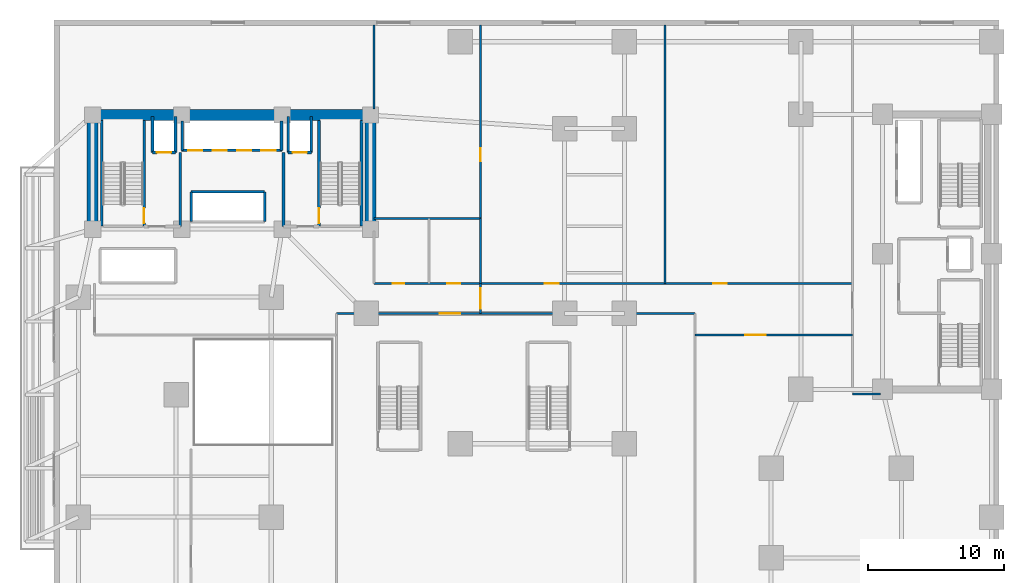
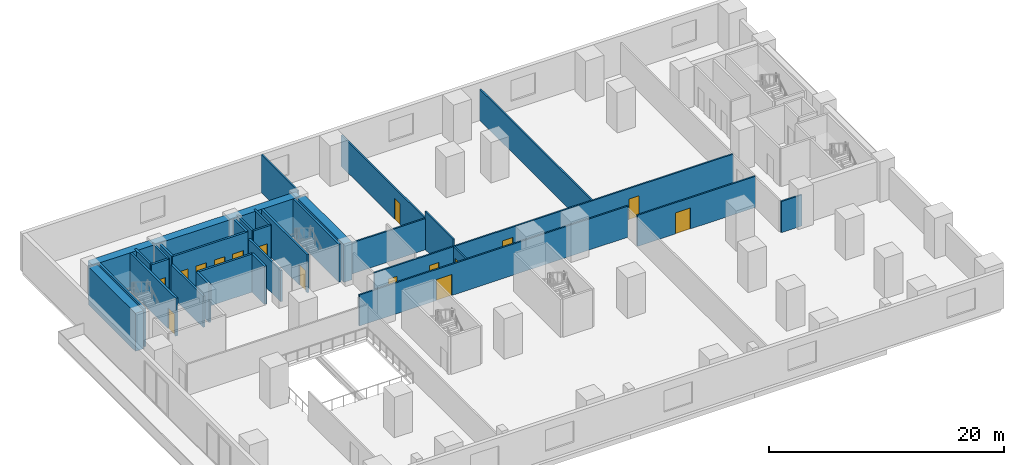
# One storey, part 7 of 13: 31 walls, 16 doors, 16 openings.
"""IFC4 building model written with IfcOpenShell, lengths in metres."""

from ifc_helpers import new_model, si_unit, direction, frame, frame_2d, origin, place, context, subcontext, project, spatial, rectangle, extrude, material, layer, layer_set, type_object, element, fill, save


model = new_model("IFC4")

# Units and contexts
model_context = context("Model", 3, precision=1e-05, world=origin(), true_north=direction((0.0, 1.0)))
body_context = subcontext(model_context, "Body", "Model", "MODEL_VIEW")
ifc_project = project(units=[si_unit("LENGTHUNIT", "METRE"), si_unit("AREAUNIT", "SQUARE_METRE"), si_unit("VOLUMEUNIT", "CUBIC_METRE"), si_unit("PLANEANGLEUNIT", "RADIAN"), si_unit("MASSUNIT", "GRAM", prefix="KILO")], contexts=[model_context])

# Site, building, storey
site_placement = place(None, origin())
site = spatial("IfcSite", under=ifc_project, at=site_placement, CompositionType="ELEMENT")
building_placement = place(site_placement, origin())
building = spatial("IfcBuilding", under=site, at=building_placement, Name="Kuzgunbayir Cultural Tower", CompositionType="ELEMENT")
storey_placement = place(building_placement, frame((0.0, 0.0, 4.60009765625)))
storey = spatial("IfcBuildingStorey", under=building, at=storey_placement, Name="L01", CompositionType="ELEMENT", Elevation=4.60009765625)

# Walls
ifc_material_1 = material(Name="Concrete C60/75", Category="concrete")
ifc_layer_1 = layer(ifc_material_1, 0.800048828125)
ifc_layer_set_1 = layer_set([ifc_layer_1], Name="Concrete C60/75")
wall_type_1 = type_object("IfcWallType", Name="WAL-CORE-800", PredefinedType="SHEAR", material=ifc_layer_set_1)
wall_1_placement = place(storey_placement, frame((6.449951171875, 42.199951171875, 0.0), z_axis=(0.0, 0.0, 1.0), x_axis=(1.0, 0.0, 0.0)))
element("IfcWall", 1, at=wall_1_placement, inside=storey, type_object=wall_type_1, Name="L01 T1 Core North Shear Wall", PredefinedType="SHEAR", context=body_context, shape_type="SweptSolid", body=[
    extrude(rectangle(XDim=20.449951171875, YDim=0.800048828125, at=frame_2d((10.22509765625, 0.0))), origin(), (0.0, 0.0, 1.0), 3.949951171875),
])
for number, where, z_axis, x_axis, name in (
    (2, (6.449951171875, 33.800048828125, 0.0), (0.0, 0.0, 1.0), (0.0, 1.0, 0.0), "L01 T1 Core West Shear Wall"),
    (3, (26.89990234375, 33.800048828125, 0.0), (0.0, 0.0, 1.0), (0.0, 1.0, 0.0), "L01 T1 Core East Shear Wall"),
):
    element("IfcWall", number, at=place(storey_placement, frame(where, z_axis=z_axis, x_axis=x_axis)), inside=storey, type_object=wall_type_1, Name=name, PredefinedType="SHEAR", context=body_context, shape_type="SweptSolid", body=[
        extrude(rectangle(XDim=7.949951171875, YDim=0.800048828125, at=frame_2d((3.97509765625, 0.0))), origin(), (0.0, 0.0, 1.0), 3.949951171875),
    ])

# Wall, opening, door
ifc_material_2 = material(Name="Acoustic Double-Stud Drywall", Category="gypsum")
ifc_layer_2 = layer(ifc_material_2, 0.14990234375)
ifc_layer_set_2 = layer_set([ifc_layer_2], Name="Acoustic Double-Stud Drywall")
wall_type_2 = type_object("IfcWallType", Name="WAL-PART-ACOUSTIC-150", PredefinedType="PARTITIONING", material=ifc_layer_set_2)
wall_2_placement = place(storey_placement, frame((24.39990234375, 27.60009765625, 0.0), z_axis=(0.0, 0.0, 1.0), x_axis=(1.0, 0.0, 0.0)))
wall_2 = element("IfcWall", 4, at=wall_2_placement, inside=storey, type_object=wall_type_2, Name="L01 Central Concourse South Wall", PredefinedType="PARTITIONING", context=body_context, shape_type="SweptSolid", body=[
    extrude(rectangle(XDim=26.400146484375, YDim=0.14990234375, at=frame_2d((13.2001953125, 0.0))), origin(), (0.0, 0.0, 1.0), 3.22998046875),
])
opening_1_placement = place(wall_2_placement, frame((7.60009765625, 0.0, 0.0)))
opening_1 = element("IfcOpeningElement", 5, at=opening_1_placement, cuts=wall_2, Name="Opening DI-150", PredefinedType="OPENING", context=body_context, shape_type="SweptSolid", body=[
    extrude(rectangle(XDim=1.5, YDim=2.179931640625, at=frame_2d((0.75, 1.08984375))), frame((0.0, 0.0849609375, 0.0), z_axis=(0.0, -1.0, 0.0), x_axis=(1.0, 0.0, 0.0)), (0.0, 0.0, 1.0), 0.169921875),
])
ifc_material_3 = material(Name="Veneered Oak Double Leaf", Category="wood")
door_type_1 = type_object("IfcDoorType", Name="DR-INT-150", OperationType="DOUBLE_DOOR_SINGLE_SWING", PredefinedType="DOOR", material=ifc_material_3)
door_1_placement = place(opening_1_placement, origin())
door_1 = element("IfcDoor", 6, at=door_1_placement, inside=storey, type_object=door_type_1, Name="L01 Central Hall Double Door", OperationType="DOUBLE_DOOR_SINGLE_SWING", OverallHeight=2.179931640625, OverallWidth=1.5, PredefinedType="DOOR", context=body_context, shape_type="SweptSolid", body=[
    extrude(rectangle(XDim=1.5, YDim=2.179931640625, at=frame_2d((0.75, 1.08984375))), frame((0.0, 0.02490234375, 0.0), z_axis=(0.0, -1.0, 0.0), x_axis=(1.0, 0.0, 0.0)), (0.0, 0.0, 1.0), 0.050048828125),
])
fill(opening_1, door_1)

wall_3_placement = place(storey_placement, frame((50.800048828125, 26.0, 0.0), z_axis=(0.0, 0.0, 1.0), x_axis=(1.0, 0.0, 0.0)))
wall_3 = element("IfcWall", 7, at=wall_3_placement, inside=storey, type_object=wall_type_2, Name="L01 East Concourse South Wall", PredefinedType="PARTITIONING", context=body_context, shape_type="SweptSolid", body=[
    extrude(rectangle(XDim=11.599853515625, YDim=0.14990234375, at=frame_2d((5.7998046875, 0.0))), origin(), (0.0, 0.0, 1.0), 3.22998046875),
])
opening_2_placement = place(wall_3_placement, frame((3.699951171875, 0.0, 0.0)))
opening_2 = element("IfcOpeningElement", 8, at=opening_2_placement, cuts=wall_3, Name="Opening DI-150", PredefinedType="OPENING", context=body_context, shape_type="SweptSolid", body=[
    extrude(rectangle(XDim=1.5, YDim=2.179931640625, at=frame_2d((0.75, 1.08984375))), frame((0.0, 0.0849609375, 0.0), z_axis=(0.0, -1.0, 0.0), x_axis=(1.0, 0.0, 0.0)), (0.0, 0.0, 1.0), 0.169921875),
])
door_2_placement = place(opening_2_placement, origin())
door_2 = element("IfcDoor", 9, at=door_2_placement, inside=storey, type_object=door_type_1, Name="L01 East Hall Double Door", OperationType="DOUBLE_DOOR_SINGLE_SWING", OverallHeight=2.179931640625, OverallWidth=1.5, PredefinedType="DOOR", context=body_context, shape_type="SweptSolid", body=[
    extrude(rectangle(XDim=1.5, YDim=2.179931640625, at=frame_2d((0.75, 1.08984375))), frame((0.0, 0.02490234375, 0.0), z_axis=(0.0, -1.0, 0.0), x_axis=(1.0, 0.0, 0.0)), (0.0, 0.0, 1.0), 0.050048828125),
])
fill(opening_2, door_2)

wall_4_placement = place(storey_placement, frame((35.0, 27.60009765625, 0.0), z_axis=(0.0, 0.0, 1.0), x_axis=(0.0, 1.0, 0.0)))
wall_4 = element("IfcWall", 10, at=wall_4_placement, inside=storey, type_object=wall_type_2, Name="L01 Grand Concourse Mid Threshold Wall", PredefinedType="PARTITIONING", context=body_context, shape_type="SweptSolid", body=[
    extrude(rectangle(XDim=2.199951171875, YDim=0.14990234375, at=frame_2d((1.10009765625, 0.0))), origin(), (0.0, 0.0, 1.0), 3.22998046875),
])
opening_3_placement = place(wall_4_placement, frame((0.35009765625, 0.0, 0.0)))
opening_3 = element("IfcOpeningElement", 11, at=opening_3_placement, cuts=wall_4, Name="Opening DI-150", PredefinedType="OPENING", context=body_context, shape_type="SweptSolid", body=[
    extrude(rectangle(XDim=1.5, YDim=2.179931640625, at=frame_2d((0.75, 1.08984375))), frame((0.0, 0.0849609375, 0.0), z_axis=(0.0, -1.0, 0.0), x_axis=(1.0, 0.0, 0.0)), (0.0, 0.0, 1.0), 0.169921875),
])
door_3_placement = place(opening_3_placement, origin())
door_3 = element("IfcDoor", 12, at=door_3_placement, inside=storey, type_object=door_type_1, Name="L01 Grand Concourse Mid Threshold Door", OperationType="DOUBLE_DOOR_SINGLE_SWING", OverallHeight=2.179931640625, OverallWidth=1.5, PredefinedType="DOOR", context=body_context, shape_type="SweptSolid", body=[
    extrude(rectangle(XDim=1.5, YDim=2.179931640625, at=frame_2d((0.75, 1.08984375))), frame((0.0, 0.02490234375, 0.0), z_axis=(0.0, -1.0, 0.0), x_axis=(1.0, 0.0, 0.0)), (0.0, 0.0, 1.0), 0.050048828125),
])
fill(opening_3, door_3)

# Wall, openings, doors
wall_5_placement = place(storey_placement, frame((27.14990234375, 29.800048828125, 0.0), z_axis=(0.0, 0.0, 1.0), x_axis=(1.0, 0.0, 0.0)))
wall_5 = element("IfcWall", 13, at=wall_5_placement, inside=storey, type_object=wall_type_2, Name="L01 Grand Concourse North Wall", PredefinedType="PARTITIONING", context=body_context, shape_type="SweptSolid", body=[
    extrude(rectangle(XDim=35.25, YDim=0.14990234375, at=frame_2d((17.625, 0.0))), origin(), (0.0, 0.0, 1.0), 3.22998046875),
])
opening_4_placement = place(wall_5_placement, frame((25.0, 0.0, 0.0)))
opening_4 = element("IfcOpeningElement", 14, at=opening_4_placement, cuts=wall_5, Name="Opening DI-100", PredefinedType="OPENING", context=body_context, shape_type="SweptSolid", body=[
    extrude(rectangle(XDim=1.0, YDim=2.14990234375, at=frame_2d((0.5, 1.074951171875))), frame((0.0, 0.0849609375, 0.0), z_axis=(0.0, -1.0, 0.0), x_axis=(1.0, 0.0, 0.0)), (0.0, 0.0, 1.0), 0.169921875),
])
opening_5_placement = place(wall_5_placement, frame((1.39990234375, 0.0, 0.0)))
opening_5 = element("IfcOpeningElement", 15, at=opening_5_placement, cuts=wall_5, Name="Opening DW-85", PredefinedType="OPENING", context=body_context, shape_type="SweptSolid", body=[
    extrude(rectangle(XDim=0.85009765625, YDim=2.10009765625, at=frame_2d((0.425048828125, 1.050048828125))), frame((0.0, 0.0849609375, 0.0), z_axis=(0.0, -1.0, 0.0), x_axis=(1.0, 0.0, 0.0)), (0.0, 0.0, 1.0), 0.169921875),
])
opening_6_placement = place(wall_5_placement, frame((5.39990234375, 0.0, 0.0)))
opening_6 = element("IfcOpeningElement", 16, at=opening_6_placement, cuts=wall_5, Name="Opening DW-95", PredefinedType="OPENING", context=body_context, shape_type="SweptSolid", body=[
    extrude(rectangle(XDim=0.949951171875, YDim=2.10009765625, at=frame_2d((0.47509765625, 1.050048828125))), frame((0.0, 0.0849609375, 0.0), z_axis=(0.0, -1.0, 0.0), x_axis=(1.0, 0.0, 0.0)), (0.0, 0.0, 1.0), 0.169921875),
])
opening_7_placement = place(wall_5_placement, frame((12.60009765625, 0.0, 0.0)))
opening_7 = element("IfcOpeningElement", 17, at=opening_7_placement, cuts=wall_5, Name="Opening DI-100", PredefinedType="OPENING", context=body_context, shape_type="SweptSolid", body=[
    extrude(rectangle(XDim=1.0, YDim=2.14990234375, at=frame_2d((0.5, 1.074951171875))), frame((0.0, 0.0849609375, 0.0), z_axis=(0.0, -1.0, 0.0), x_axis=(1.0, 0.0, 0.0)), (0.0, 0.0, 1.0), 0.169921875),
])
ifc_material_4 = material(Name="Veneered Oak Single Leaf", Category="wood")
door_type_2 = type_object("IfcDoorType", Name="DR-INT-100", OperationType="NOTDEFINED", PredefinedType="DOOR", material=ifc_material_4)
door_4_placement = place(opening_4_placement, origin())
door_4 = element("IfcDoor", 18, at=door_4_placement, inside=storey, type_object=door_type_2, Name="L01 North Design Studio Door", OperationType="SINGLE_SWING_LEFT", OverallHeight=2.14990234375, OverallWidth=1.0, PredefinedType="DOOR", context=body_context, shape_type="SweptSolid", body=[
    extrude(rectangle(XDim=1.0, YDim=2.14990234375, at=frame_2d((0.5, 1.074951171875))), frame((0.0, 0.02490234375, 0.0), z_axis=(0.0, -1.0, 0.0), x_axis=(1.0, 0.0, 0.0)), (0.0, 0.0, 1.0), 0.050048828125),
])
fill(opening_4, door_4)
door_5_placement = place(opening_7_placement, origin())
door_5 = element("IfcDoor", 19, at=door_5_placement, inside=storey, type_object=door_type_2, Name="L01 North Hall Door", OperationType="SINGLE_SWING_LEFT", OverallHeight=2.14990234375, OverallWidth=1.0, PredefinedType="DOOR", context=body_context, shape_type="SweptSolid", body=[
    extrude(rectangle(XDim=1.0, YDim=2.14990234375, at=frame_2d((0.5, 1.074951171875))), frame((0.0, 0.02490234375, 0.0), z_axis=(0.0, -1.0, 0.0), x_axis=(1.0, 0.0, 0.0)), (0.0, 0.0, 1.0), 0.050048828125),
])
fill(opening_7, door_5)
ifc_material_5 = material(Name="Laminate Moisture-Resistant Leaf", Category="wood")
door_type_3 = type_object("IfcDoorType", Name="DR-WET-85", OperationType="NOTDEFINED", PredefinedType="DOOR", material=ifc_material_5)
door_6_placement = place(opening_5_placement, origin())
door_6 = element("IfcDoor", 20, at=door_6_placement, inside=storey, type_object=door_type_3, Name="L01 Public WC Door", OperationType="SINGLE_SWING_LEFT", OverallHeight=2.10009765625, OverallWidth=0.85009765625, PredefinedType="DOOR", context=body_context, shape_type="SweptSolid", body=[
    extrude(rectangle(XDim=0.85009765625, YDim=2.10009765625, at=frame_2d((0.425048828125, 1.050048828125))), frame((0.0, 0.02490234375, 0.0), z_axis=(0.0, -1.0, 0.0), x_axis=(1.0, 0.0, 0.0)), (0.0, 0.0, 1.0), 0.050048828125),
])
fill(opening_5, door_6)
door_type_4 = type_object("IfcDoorType", Name="DR-WET-95", OperationType="NOTDEFINED", PredefinedType="DOOR", material=ifc_material_5)
door_7_placement = place(opening_6_placement, origin())
door_7 = element("IfcDoor", 21, at=door_7_placement, inside=storey, type_object=door_type_4, Name="L01 Accessible WC Door", OperationType="SINGLE_SWING_RIGHT", OverallHeight=2.10009765625, OverallWidth=0.949951171875, PredefinedType="DOOR", context=body_context, shape_type="SweptSolid", body=[
    extrude(rectangle(XDim=0.949951171875, YDim=2.10009765625, at=frame_2d((0.47509765625, 1.050048828125))), frame((0.0, 0.02490234375, 0.0), z_axis=(0.0, -1.0, 0.0), x_axis=(1.0, 0.0, 0.0)), (0.0, 0.0, 1.0), 0.050048828125),
])
fill(opening_6, door_7)

# Wall, opening, door
wall_6_placement = place(storey_placement, frame((35.0, 34.60009765625, 0.0), z_axis=(0.0, 0.0, 1.0), x_axis=(0.0, 1.0, 0.0)))
wall_6 = element("IfcWall", 22, at=wall_6_placement, inside=storey, type_object=wall_type_2, Name="L01 Archive West Wall", PredefinedType="PARTITIONING", context=body_context, shape_type="SweptSolid", body=[
    extrude(rectangle(XDim=14.25, YDim=0.14990234375, at=frame_2d((7.125, 0.0))), origin(), (0.0, 0.0, 1.0), 3.22998046875),
])
opening_8_placement = place(wall_6_placement, frame((4.199951171875, 0.0, 0.0)))
opening_8 = element("IfcOpeningElement", 23, at=opening_8_placement, cuts=wall_6, Name="Opening DI-90", PredefinedType="OPENING", context=body_context, shape_type="SweptSolid", body=[
    extrude(rectangle(XDim=0.949951171875, YDim=2.14990234375, at=frame_2d((0.47509765625, 1.074951171875))), frame((0.0, 0.0849609375, 0.0), z_axis=(0.0, -1.0, 0.0), x_axis=(1.0, 0.0, 0.0)), (0.0, 0.0, 1.0), 0.169921875),
])
door_type_5 = type_object("IfcDoorType", Name="DR-INT-90", OperationType="NOTDEFINED", PredefinedType="DOOR", material=ifc_material_4)
door_8_placement = place(opening_8_placement, origin())
door_8 = element("IfcDoor", 24, at=door_8_placement, inside=storey, type_object=door_type_5, Name="L01 Collection Study Room Door", OperationType="SINGLE_SWING_RIGHT", OverallHeight=2.14990234375, OverallWidth=0.949951171875, PredefinedType="DOOR", context=body_context, shape_type="SweptSolid", body=[
    extrude(rectangle(XDim=0.949951171875, YDim=2.14990234375, at=frame_2d((0.47509765625, 1.074951171875))), frame((0.0, 0.02490234375, 0.0), z_axis=(0.0, -1.0, 0.0), x_axis=(1.0, 0.0, 0.0)), (0.0, 0.0, 1.0), 0.050048828125),
])
fill(opening_8, door_8)

# Walls
wall_7_placement = place(storey_placement, frame((48.60009765625, 29.800048828125, 0.0), z_axis=(0.0, 0.0, 1.0), x_axis=(0.0, 1.0, 0.0)))
element("IfcWall", 25, at=wall_7_placement, inside=storey, type_object=wall_type_2, Name="L01 North Gallery Divider", PredefinedType="PARTITIONING", context=body_context, shape_type="SweptSolid", body=[
    extrude(rectangle(XDim=19.050048828125, YDim=0.14990234375, at=frame_2d((9.52490234375, 0.0))), origin(), (0.0, 0.0, 1.0), 3.22998046875),
])
wall_8_placement = place(storey_placement, frame((62.39990234375, 21.64990234375, 0.0), z_axis=(0.0, 0.0, 1.0), x_axis=(1.0, 0.0, 0.0)))
element("IfcWall", 26, at=wall_8_placement, inside=storey, type_object=wall_type_2, Name="L01 Companion Core South Closure", PredefinedType="PARTITIONING", context=body_context, shape_type="SweptSolid", body=[
    extrude(rectangle(XDim=2.050048828125, YDim=0.14990234375, at=frame_2d((1.02490234375, 0.0))), origin(), (0.0, 0.0, 1.0), 3.22998046875),
])
ifc_material_6 = material(Name="Aerated Concrete Blockwork", Category="masonry")
ifc_layer_3 = layer(ifc_material_6, 0.199951171875)
ifc_layer_set_3 = layer_set([ifc_layer_3], Name="Aerated Concrete Blockwork")
wall_type_3 = type_object("IfcWallType", Name="WAL-PART-FIRE-200", PredefinedType="PARTITIONING", material=ifc_layer_set_3)
for number, where, z_axis, x_axis, name in (
    (27, (12.89990234375, 34.0, 0.0), (0.0, 0.0, 1.0), (0.0, 1.0, 0.0), "L01 FFL-1 Lobby East Fire Wall"),
    (28, (20.5, 34.0, 0.0), (0.0, 0.0, 1.0), (0.0, 1.0, 0.0), "L01 FFL-2 Lobby West Fire Wall"),
):
    element("IfcWall", number, at=place(storey_placement, frame(where, z_axis=z_axis, x_axis=x_axis)), inside=storey, type_object=wall_type_3, Name=name, PredefinedType="PARTITIONING", context=body_context, shape_type="SweptSolid", body=[
        extrude(rectangle(XDim=5.449951171875, YDim=0.199951171875, at=frame_2d((2.72509765625, 0.0))), origin(), (0.0, 0.0, 1.0), 3.22998046875),
    ])
ifc_material_7 = material(Name="Moisture-Resistant Tile Partition", Category="gypsum")
ifc_layer_4 = layer(ifc_material_7, 0.14990234375)
ifc_layer_set_4 = layer_set([ifc_layer_4], Name="Moisture-Resistant Tile Partition")
wall_type_4 = type_object("IfcWallType", Name="WAL-PART-WET-150", PredefinedType="PARTITIONING", material=ifc_layer_set_4)
wall_9_placement = place(storey_placement, frame((27.14990234375, 42.64990234375, 0.0), z_axis=(0.0, 0.0, 1.0), x_axis=(0.0, 1.0, 0.0)))
element("IfcWall", 29, at=wall_9_placement, inside=storey, type_object=wall_type_4, Name="L01 Core East Partition North", PredefinedType="PARTITIONING", context=body_context, shape_type="SweptSolid", body=[
    extrude(rectangle(XDim=6.2001953125, YDim=0.14990234375, at=frame_2d((3.10009765625, 0.0))), origin(), (0.0, 0.0, 1.0), 3.949951171875),
])
wall_10_placement = place(storey_placement, frame((35.0, 29.800048828125, 0.0), z_axis=(0.0, 0.0, 1.0), x_axis=(0.0, 1.0, 0.0)))
element("IfcWall", 30, at=wall_10_placement, inside=storey, type_object=wall_type_4, Name="L01 Accessible WC East Wall", PredefinedType="PARTITIONING", context=body_context, shape_type="SweptSolid", body=[
    extrude(rectangle(XDim=4.800048828125, YDim=0.14990234375, at=frame_2d((2.39990234375, 0.0))), origin(), (0.0, 0.0, 1.0), 3.949951171875),
])
wall_11_placement = place(storey_placement, frame((27.14990234375, 34.60009765625, 0.0), z_axis=(0.0, 0.0, 1.0), x_axis=(1.0, 0.0, 0.0)))
element("IfcWall", 31, at=wall_11_placement, inside=storey, type_object=wall_type_4, Name="L01 Restroom North Back Wall", PredefinedType="PARTITIONING", context=body_context, shape_type="SweptSolid", body=[
    extrude(rectangle(XDim=7.85009765625, YDim=0.14990234375, at=frame_2d((3.925048828125, 0.0))), origin(), (0.0, 0.0, 1.0), 3.22998046875),
])

# Wall, opening, door
ifc_material_8 = material(Name="Concrete C40/50", Category="concrete")
ifc_layer_5 = layer(ifc_material_8, 0.199951171875)
ifc_layer_set_5 = layer_set([ifc_layer_5], Name="Concrete C40/50")
wall_type_5 = type_object("IfcWallType", Name="WAL-SHAFT-200", PredefinedType="MOVABLE", material=ifc_layer_set_5)
wall_12_placement = place(storey_placement, frame((10.85009765625, 39.449951171875, 0.0), z_axis=(0.0, 0.0, 1.0), x_axis=(1.0, 0.0, 0.0)))
wall_12 = element("IfcWall", 32, at=wall_12_placement, inside=storey, type_object=wall_type_5, Name="L01 FFL-1 Lift Front Wall", PredefinedType="MOVABLE", context=body_context, shape_type="SweptSolid", body=[
    extrude(rectangle(XDim=1.699951171875, YDim=0.199951171875, at=frame_2d((0.85009765625, 0.0))), origin(), (0.0, 0.0, 1.0), 3.949951171875),
])
opening_9_placement = place(wall_12_placement, frame((0.320068359375, 0.0, 0.0)))
opening_9 = element("IfcOpeningElement", 33, at=opening_9_placement, cuts=wall_12, Name="Opening LD", PredefinedType="OPENING", context=body_context, shape_type="SweptSolid", body=[
    extrude(rectangle(XDim=1.050048828125, YDim=2.14990234375, at=frame_2d((0.52490234375, 1.074951171875))), frame((0.0, 0.10986328125, 0.0), z_axis=(0.0, -1.0, 0.0), x_axis=(1.0, 0.0, 0.0)), (0.0, 0.0, 1.0), 0.219970703125),
])
ifc_material_9 = material(Name="Brushed Stainless Steel", Category="steel")
door_type_6 = type_object("IfcDoorType", Name="DR-LIFT-LANDING", OperationType="SLIDING_TO_LEFT", PredefinedType="DOOR", material=ifc_material_9)
door_9_placement = place(opening_9_placement, origin())
door_9 = element("IfcDoor", 34, at=door_9_placement, inside=storey, type_object=door_type_6, Name="L01 Lift FFL-1 Landing Door", OperationType="SLIDING_TO_LEFT", OverallHeight=2.14990234375, OverallWidth=1.050048828125, PredefinedType="DOOR", context=body_context, shape_type="SweptSolid", body=[
    extrude(rectangle(XDim=1.050048828125, YDim=2.14990234375, at=frame_2d((0.52490234375, 1.074951171875))), frame((0.0, 0.02490234375, 0.0), z_axis=(0.0, -1.0, 0.0), x_axis=(1.0, 0.0, 0.0)), (0.0, 0.0, 1.0), 0.050048828125),
])
fill(opening_9, door_9)

wall_13_placement = place(storey_placement, frame((20.85009765625, 39.449951171875, 0.0), z_axis=(0.0, 0.0, 1.0), x_axis=(1.0, 0.0, 0.0)))
wall_13 = element("IfcWall", 35, at=wall_13_placement, inside=storey, type_object=wall_type_5, Name="L01 FFL-2 Lift Front Wall", PredefinedType="MOVABLE", context=body_context, shape_type="SweptSolid", body=[
    extrude(rectangle(XDim=1.699951171875, YDim=0.199951171875, at=frame_2d((0.85009765625, 0.0))), origin(), (0.0, 0.0, 1.0), 3.949951171875),
])
opening_10_placement = place(wall_13_placement, frame((0.320068359375, 0.0, 0.0)))
opening_10 = element("IfcOpeningElement", 36, at=opening_10_placement, cuts=wall_13, Name="Opening LD", PredefinedType="OPENING", context=body_context, shape_type="SweptSolid", body=[
    extrude(rectangle(XDim=1.050048828125, YDim=2.14990234375, at=frame_2d((0.52490234375, 1.074951171875))), frame((0.0, 0.10986328125, 0.0), z_axis=(0.0, -1.0, 0.0), x_axis=(1.0, 0.0, 0.0)), (0.0, 0.0, 1.0), 0.219970703125),
])
door_10_placement = place(opening_10_placement, origin())
door_10 = element("IfcDoor", 37, at=door_10_placement, inside=storey, type_object=door_type_6, Name="L01 Lift FFL-2 Landing Door", OperationType="SLIDING_TO_LEFT", OverallHeight=2.14990234375, OverallWidth=1.050048828125, PredefinedType="DOOR", context=body_context, shape_type="SweptSolid", body=[
    extrude(rectangle(XDim=1.050048828125, YDim=2.14990234375, at=frame_2d((0.52490234375, 1.074951171875))), frame((0.0, 0.02490234375, 0.0), z_axis=(0.0, -1.0, 0.0), x_axis=(1.0, 0.0, 0.0)), (0.0, 0.0, 1.0), 0.050048828125),
])
fill(opening_10, door_10)

# Walls
for number, where, z_axis, x_axis, name in (
    (38, (10.85009765625, 39.449951171875, 0.0), (0.0, 0.0, 1.0), (0.0, 1.0, 0.0), "L01 FFL-1 Shaft West Wall"),
    (39, (12.550048828125, 39.449951171875, 0.0), (0.0, 0.0, 1.0), (0.0, 1.0, 0.0), "L01 FFL-1 Shaft East Wall"),
    (40, (20.85009765625, 39.449951171875, 0.0), (0.0, 0.0, 1.0), (0.0, 1.0, 0.0), "L01 FFL-2 Shaft West Wall"),
    (41, (22.550048828125, 39.449951171875, 0.0), (0.0, 0.0, 1.0), (0.0, 1.0, 0.0), "L01 FFL-2 Shaft East Wall"),
):
    element("IfcWall", number, at=place(storey_placement, frame(where, z_axis=z_axis, x_axis=x_axis)), inside=storey, type_object=wall_type_5, Name=name, PredefinedType="MOVABLE", context=body_context, shape_type="SweptSolid", body=[
        extrude(rectangle(XDim=2.650146484375, YDim=0.199951171875, at=frame_2d((1.3251953125, 0.0))), origin(), (0.0, 0.0, 1.0), 3.949951171875),
    ])

# Wall, openings, doors
wall_14_placement = place(storey_placement, frame((13.0, 39.60009765625, 0.0), z_axis=(0.0, 0.0, 1.0), x_axis=(1.0, 0.0, 0.0)))
wall_14 = element("IfcWall", 42, at=wall_14_placement, inside=storey, type_object=wall_type_5, Name="L01 Low-Rise Lift Front Wall", PredefinedType="MOVABLE", context=body_context, shape_type="SweptSolid", body=[
    extrude(rectangle(XDim=7.39990234375, YDim=0.199951171875, at=frame_2d((3.699951171875, 0.0))), origin(), (0.0, 0.0, 1.0), 3.949951171875),
])
opening_11_placement = place(wall_14_placement, frame((0.469970703125, 0.0, 0.0)))
opening_11 = element("IfcOpeningElement", 43, at=opening_11_placement, cuts=wall_14, Name="Opening LD", PredefinedType="OPENING", context=body_context, shape_type="SweptSolid", body=[
    extrude(rectangle(XDim=1.050048828125, YDim=2.14990234375, at=frame_2d((0.52490234375, 1.074951171875))), frame((0.0, 0.10986328125, 0.0), z_axis=(0.0, -1.0, 0.0), x_axis=(1.0, 0.0, 0.0)), (0.0, 0.0, 1.0), 0.219970703125),
])
opening_12_placement = place(wall_14_placement, frame((2.280029296875, 0.0, 0.0)))
opening_12 = element("IfcOpeningElement", 44, at=opening_12_placement, cuts=wall_14, Name="Opening LD", PredefinedType="OPENING", context=body_context, shape_type="SweptSolid", body=[
    extrude(rectangle(XDim=1.050048828125, YDim=2.14990234375, at=frame_2d((0.52490234375, 1.074951171875))), frame((0.0, 0.10986328125, 0.0), z_axis=(0.0, -1.0, 0.0), x_axis=(1.0, 0.0, 0.0)), (0.0, 0.0, 1.0), 0.219970703125),
])
opening_13_placement = place(wall_14_placement, frame((4.080078125, 0.0, 0.0)))
opening_13 = element("IfcOpeningElement", 45, at=opening_13_placement, cuts=wall_14, Name="Opening LD", PredefinedType="OPENING", context=body_context, shape_type="SweptSolid", body=[
    extrude(rectangle(XDim=1.050048828125, YDim=2.14990234375, at=frame_2d((0.52490234375, 1.074951171875))), frame((0.0, 0.10986328125, 0.0), z_axis=(0.0, -1.0, 0.0), x_axis=(1.0, 0.0, 0.0)), (0.0, 0.0, 1.0), 0.219970703125),
])
opening_14_placement = place(wall_14_placement, frame((5.8798828125, 0.0, 0.0)))
opening_14 = element("IfcOpeningElement", 46, at=opening_14_placement, cuts=wall_14, Name="Opening LD", PredefinedType="OPENING", context=body_context, shape_type="SweptSolid", body=[
    extrude(rectangle(XDim=1.050048828125, YDim=2.14990234375, at=frame_2d((0.52490234375, 1.074951171875))), frame((0.0, 0.10986328125, 0.0), z_axis=(0.0, -1.0, 0.0), x_axis=(1.0, 0.0, 0.0)), (0.0, 0.0, 1.0), 0.219970703125),
])
door_11_placement = place(opening_11_placement, origin())
door_11 = element("IfcDoor", 47, at=door_11_placement, inside=storey, type_object=door_type_6, Name="L01 Lift PL-1 Landing Door", OperationType="SLIDING_TO_LEFT", OverallHeight=2.14990234375, OverallWidth=1.050048828125, PredefinedType="DOOR", context=body_context, shape_type="SweptSolid", body=[
    extrude(rectangle(XDim=1.050048828125, YDim=2.14990234375, at=frame_2d((0.52490234375, 1.074951171875))), frame((0.0, 0.02490234375, 0.0), z_axis=(0.0, -1.0, 0.0), x_axis=(1.0, 0.0, 0.0)), (0.0, 0.0, 1.0), 0.050048828125),
])
fill(opening_11, door_11)
door_12_placement = place(opening_12_placement, origin())
door_12 = element("IfcDoor", 48, at=door_12_placement, inside=storey, type_object=door_type_6, Name="L01 Lift PL-2 Landing Door", OperationType="SLIDING_TO_LEFT", OverallHeight=2.14990234375, OverallWidth=1.050048828125, PredefinedType="DOOR", context=body_context, shape_type="SweptSolid", body=[
    extrude(rectangle(XDim=1.050048828125, YDim=2.14990234375, at=frame_2d((0.52490234375, 1.074951171875))), frame((0.0, 0.02490234375, 0.0), z_axis=(0.0, -1.0, 0.0), x_axis=(1.0, 0.0, 0.0)), (0.0, 0.0, 1.0), 0.050048828125),
])
fill(opening_12, door_12)
door_13_placement = place(opening_13_placement, origin())
door_13 = element("IfcDoor", 49, at=door_13_placement, inside=storey, type_object=door_type_6, Name="L01 Lift PL-3 Landing Door", OperationType="SLIDING_TO_LEFT", OverallHeight=2.14990234375, OverallWidth=1.050048828125, PredefinedType="DOOR", context=body_context, shape_type="SweptSolid", body=[
    extrude(rectangle(XDim=1.050048828125, YDim=2.14990234375, at=frame_2d((0.52490234375, 1.074951171875))), frame((0.0, 0.02490234375, 0.0), z_axis=(0.0, -1.0, 0.0), x_axis=(1.0, 0.0, 0.0)), (0.0, 0.0, 1.0), 0.050048828125),
])
fill(opening_13, door_13)
door_14_placement = place(opening_14_placement, origin())
door_14 = element("IfcDoor", 50, at=door_14_placement, inside=storey, type_object=door_type_6, Name="L01 Lift PL-4 Landing Door", OperationType="SLIDING_TO_LEFT", OverallHeight=2.14990234375, OverallWidth=1.050048828125, PredefinedType="DOOR", context=body_context, shape_type="SweptSolid", body=[
    extrude(rectangle(XDim=1.050048828125, YDim=2.14990234375, at=frame_2d((0.52490234375, 1.074951171875))), frame((0.0, 0.02490234375, 0.0), z_axis=(0.0, -1.0, 0.0), x_axis=(1.0, 0.0, 0.0)), (0.0, 0.0, 1.0), 0.050048828125),
])
fill(opening_14, door_14)

# Walls
for number, where, z_axis, x_axis, name in (
    (51, (13.050048828125, 39.60009765625, 0.0), (0.0, 0.0, 1.0), (0.0, 1.0, 0.0), "L01 Low-Rise Lift Shaft West Wall"),
    (52, (20.35009765625, 39.60009765625, 0.0), (0.0, 0.0, 1.0), (0.0, 1.0, 0.0), "L01 Low-Rise Lift Shaft East Wall"),
):
    element("IfcWall", number, at=place(storey_placement, frame(where, z_axis=z_axis, x_axis=x_axis)), inside=storey, type_object=wall_type_5, Name=name, PredefinedType="MOVABLE", context=body_context, shape_type="SweptSolid", body=[
        extrude(rectangle(XDim=2.179931640625, YDim=0.199951171875, at=frame_2d((1.08984375, 0.0))), origin(), (0.0, 0.0, 1.0), 3.949951171875),
    ])
wall_15_placement = place(storey_placement, frame((13.699951171875, 36.550048828125, 0.0), z_axis=(0.0, 0.0, 1.0), x_axis=(1.0, 0.0, 0.0)))
element("IfcWall", 53, at=wall_15_placement, inside=storey, type_object=wall_type_5, Name="L01 Mid-Rise Lift Shaft North Wall", PredefinedType="MOVABLE", context=body_context, shape_type="SweptSolid", body=[
    extrude(rectangle(XDim=5.420166015625, YDim=0.199951171875, at=frame_2d((2.7099609375, 0.0))), origin(), (0.0, 0.0, 1.0), 3.949951171875),
])
for number, where, z_axis, x_axis, name in (
    (54, (13.699951171875, 34.35009765625, 0.0), (0.0, 0.0, 1.0), (0.0, 1.0, 0.0), "L01 Mid-Rise Lift Shaft West Wall"),
    (55, (19.1201171875, 34.35009765625, 0.0), (0.0, 0.0, 1.0), (0.0, 1.0, 0.0), "L01 Mid-Rise Lift Shaft East Wall"),
):
    element("IfcWall", number, at=place(storey_placement, frame(where, z_axis=z_axis, x_axis=x_axis)), inside=storey, type_object=wall_type_5, Name=name, PredefinedType="MOVABLE", context=body_context, shape_type="SweptSolid", body=[
        extrude(rectangle(XDim=2.199951171875, YDim=0.199951171875, at=frame_2d((1.10009765625, 0.0))), origin(), (0.0, 0.0, 1.0), 3.949951171875),
    ])
ifc_layer_6 = layer(ifc_material_8, 0.199951171875)
ifc_layer_set_6 = layer_set([ifc_layer_6], Name="Concrete C40/50")
wall_type_6 = type_object("IfcWallType", Name="WAL-STAIR-RC-200", PredefinedType="SHEAR", material=ifc_layer_set_6)
wall_16_placement = place(storey_placement, frame((7.1201171875, 34.02001953125, 0.0), z_axis=(0.0, 0.0, 1.0), x_axis=(0.0, 1.0, 0.0)))
element("IfcWall", 56, at=wall_16_placement, inside=storey, type_object=wall_type_6, Name="L01 Stair ST-1 West Structural Wall", PredefinedType="SHEAR", context=body_context, shape_type="SweptSolid", body=[
    extrude(rectangle(XDim=7.780029296875, YDim=0.199951171875, at=frame_2d((3.89013671875, 0.0))), origin(), (0.0, 0.0, 1.0), 3.949951171875),
])

# Wall, opening, door
wall_17_placement = place(storey_placement, frame((10.239990234375, 34.02001953125, 0.0), z_axis=(0.0, 0.0, 1.0), x_axis=(0.0, 1.0, 0.0)))
wall_17 = element("IfcWall", 57, at=wall_17_placement, inside=storey, type_object=wall_type_6, Name="L01 Stair ST-1 East Structural Wall", PredefinedType="SHEAR", context=body_context, shape_type="SweptSolid", body=[
    extrude(rectangle(XDim=7.780029296875, YDim=0.199951171875, at=frame_2d((3.89013671875, 0.0))), origin(), (0.0, 0.0, 1.0), 3.949951171875),
])
opening_15_placement = place(wall_17_placement, frame((0.219970703125, 0.0, 0.0)))
opening_15 = element("IfcOpeningElement", 58, at=opening_15_placement, cuts=wall_17, Name="Opening DR-STAIR-90", PredefinedType="OPENING", context=body_context, shape_type="SweptSolid", body=[
    extrude(rectangle(XDim=1.10009765625, YDim=2.14990234375, at=frame_2d((0.550048828125, 1.074951171875))), frame((0.0, 0.10986328125, 0.0), z_axis=(0.0, -1.0, 0.0), x_axis=(1.0, 0.0, 0.0)), (0.0, 0.0, 1.0), 0.219970703125),
])
ifc_material_10 = material(Name="Steel S355J2", Category="steel")
door_type_7 = type_object("IfcDoorType", Name="DR-STAIR-90", OperationType="NOTDEFINED", PredefinedType="DOOR", material=ifc_material_10)
door_15_placement = place(opening_15_placement, origin())
door_15 = element("IfcDoor", 59, at=door_15_placement, inside=storey, type_object=door_type_7, Name="L01 Stair ST-1 Fire Door", OperationType="SINGLE_SWING_LEFT", OverallHeight=2.14990234375, OverallWidth=1.10009765625, PredefinedType="DOOR", context=body_context, shape_type="SweptSolid", body=[
    extrude(rectangle(XDim=1.10009765625, YDim=2.14990234375, at=frame_2d((0.550048828125, 1.074951171875))), frame((0.0, 0.02490234375, 0.0), z_axis=(0.0, -1.0, 0.0), x_axis=(1.0, 0.0, 0.0)), (0.0, 0.0, 1.0), 0.050048828125),
])
fill(opening_15, door_15)

wall_18_placement = place(storey_placement, frame((23.1201171875, 34.02001953125, 0.0), z_axis=(0.0, 0.0, 1.0), x_axis=(0.0, 1.0, 0.0)))
wall_18 = element("IfcWall", 60, at=wall_18_placement, inside=storey, type_object=wall_type_6, Name="L01 Stair ST-2 West Structural Wall", PredefinedType="SHEAR", context=body_context, shape_type="SweptSolid", body=[
    extrude(rectangle(XDim=7.780029296875, YDim=0.199951171875, at=frame_2d((3.89013671875, 0.0))), origin(), (0.0, 0.0, 1.0), 3.949951171875),
])
opening_16_placement = place(wall_18_placement, frame((0.219970703125, 0.0, 0.0)))
opening_16 = element("IfcOpeningElement", 61, at=opening_16_placement, cuts=wall_18, Name="Opening DR-STAIR-90", PredefinedType="OPENING", context=body_context, shape_type="SweptSolid", body=[
    extrude(rectangle(XDim=1.10009765625, YDim=2.14990234375, at=frame_2d((0.550048828125, 1.074951171875))), frame((0.0, 0.10986328125, 0.0), z_axis=(0.0, -1.0, 0.0), x_axis=(1.0, 0.0, 0.0)), (0.0, 0.0, 1.0), 0.219970703125),
])
door_16_placement = place(opening_16_placement, origin())
door_16 = element("IfcDoor", 62, at=door_16_placement, inside=storey, type_object=door_type_7, Name="L01 Stair ST-2 Fire Door", OperationType="SINGLE_SWING_LEFT", OverallHeight=2.14990234375, OverallWidth=1.10009765625, PredefinedType="DOOR", context=body_context, shape_type="SweptSolid", body=[
    extrude(rectangle(XDim=1.10009765625, YDim=2.14990234375, at=frame_2d((0.550048828125, 1.074951171875))), frame((0.0, 0.02490234375, 0.0), z_axis=(0.0, -1.0, 0.0), x_axis=(1.0, 0.0, 0.0)), (0.0, 0.0, 1.0), 0.050048828125),
])
fill(opening_16, door_16)

# Wall
wall_19_placement = place(storey_placement, frame((26.239990234375, 34.02001953125, 0.0), z_axis=(0.0, 0.0, 1.0), x_axis=(0.0, 1.0, 0.0)))
element("IfcWall", 63, at=wall_19_placement, inside=storey, type_object=wall_type_6, Name="L01 Stair ST-2 East Structural Wall", PredefinedType="SHEAR", context=body_context, shape_type="SweptSolid", body=[
    extrude(rectangle(XDim=7.780029296875, YDim=0.199951171875, at=frame_2d((3.89013671875, 0.0))), origin(), (0.0, 0.0, 1.0), 3.949951171875),
])

save(model, "model.ifc")
